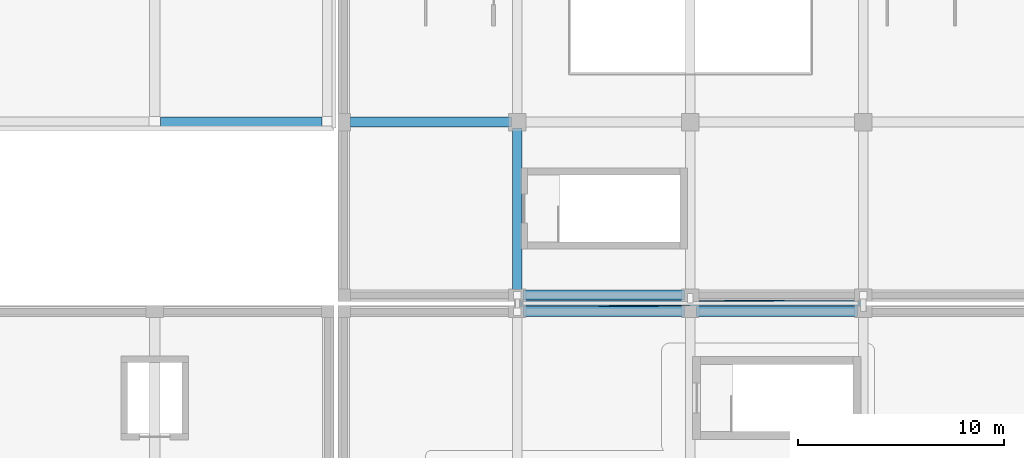
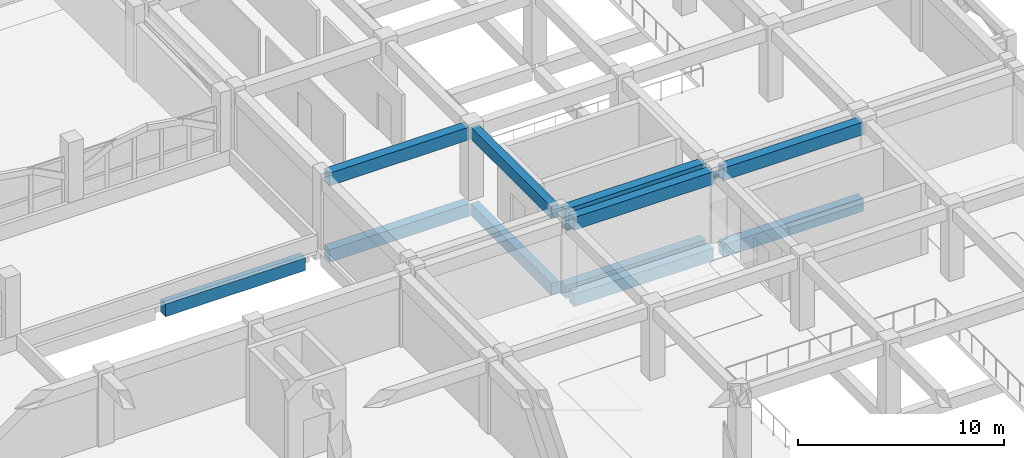
# One storey, part 37 of 129: 12 beams, 1 member.
"""IFC4 building model written with IfcOpenShell, lengths in metres."""

import ifcopenshell
import ifcopenshell.guid

model = None  # the IFC model being written
_history = None  # IfcOwnerHistory: only IFC2X3 demands one
_inside = {}  # id of a spatial element -> (the spatial element, [elements in it])
_under = {}  # id of a project, library or spatial element -> (it, [spatial elements below it])
_declared = {}  # id of a project -> (the project, [libraries it declares])
_typed = {}  # id of a type object -> (the type object, [elements of that type])
_made_of = {}  # id of a material, layer set ... -> (it, [elements and type objects made of it])


def new_model(schema):
    """Start an empty IFC model of exactly this schema.

    Asked for "IFC4X3", IfcOpenShell would pick the latest addendum, in which some entities
    have other attributes; the version numbers below select the first issue.
    IFC2X3 requires an IfcOwnerHistory on every rooted entity: one is made here for all.
    """
    global model, _history
    if schema == "IFC4X3":
        model = ifcopenshell.file(schema_version=(4, 3, 0, 0))
    else:
        model = ifcopenshell.file(schema=schema)
    _inside.clear()
    _under.clear()
    _declared.clear()
    _typed.clear()
    _made_of.clear()
    _history = None
    if model.schema == "IFC2X3":
        org = make("IfcOrganization", Name="unknown")
        user = make(
            "IfcPersonAndOrganization",
            ThePerson=make("IfcPerson", FamilyName="unknown"),
            TheOrganization=org,
        )
        app = make(
            "IfcApplication",
            ApplicationDeveloper=org,
            Version="unknown",
            ApplicationFullName="unknown",
            ApplicationIdentifier="unknown",
        )
        _history = make(
            "IfcOwnerHistory",
            OwningUser=user,
            OwningApplication=app,
            ChangeAction="ADDED",
            CreationDate=0,
        )
    return model


def make(cls, **values):
    """One entity of the class cls with the attributes given. An attribute that is None is left unset."""
    return model.create_entity(
        cls, **{name: value for name, value in values.items() if value is not None}
    )


def rooted(cls, **values):
    """An entity with a GlobalId (a new one), such as an element, a storey or a relation."""
    return make(cls, GlobalId=ifcopenshell.guid.new(), OwnerHistory=_history, **values)


def si_unit(unit_type, name, prefix=None):
    """IfcSIUnit, for example si_unit("LENGTHUNIT", "METRE", prefix="MILLI")."""
    return make("IfcSIUnit", UnitType=unit_type, Prefix=prefix, Name=name)


def assignment(units):
    """IfcUnitAssignment: the units of a project."""
    return None if units is None else make("IfcUnitAssignment", Units=units)


def point(xyz):
    """IfcCartesianPoint."""
    return None if xyz is None else make("IfcCartesianPoint", Coordinates=xyz)


def direction(xyz):
    """IfcDirection."""
    return None if xyz is None else make("IfcDirection", DirectionRatios=xyz)


def frame(location, z_axis=None, x_axis=None):
    """IfcAxis2Placement3D, a coordinate frame: its origin and axes. An axis left out is left unset."""
    return make(
        "IfcAxis2Placement3D",
        Location=point(location),
        Axis=direction(z_axis),
        RefDirection=direction(x_axis),
    )


def frame_2d(location, x_axis=None):
    """IfcAxis2Placement2D, a coordinate frame in the plane: its origin and x axis."""
    return make(
        "IfcAxis2Placement2D", Location=point(location), RefDirection=direction(x_axis)
    )


def origin():
    """The frame at (0, 0, 0) with its axes left unset."""
    return frame((0.0, 0.0, 0.0))


def origin_2d():
    """The frame at (0, 0) in the plane with its x axis left unset."""
    return frame_2d((0.0, 0.0))


def place(relative_to, where):
    """IfcLocalPlacement: puts the frame where relative to a parent placement (None: the world)."""
    return make(
        "IfcLocalPlacement", PlacementRelTo=relative_to, RelativePlacement=where
    )


def context(
    kind, dimensions, precision=None, world=None, true_north=None, identifier=None
):
    """IfcGeometricRepresentationContext, for example the 3D "Model" context."""
    return make(
        "IfcGeometricRepresentationContext",
        ContextIdentifier=identifier,
        ContextType=kind,
        CoordinateSpaceDimension=dimensions,
        Precision=precision,
        WorldCoordinateSystem=world,
        TrueNorth=true_north,
    )


def subcontext(parent, identifier, kind, view, scale=None):
    """IfcGeometricRepresentationSubContext, for example "Body" below "Model"."""
    return make(
        "IfcGeometricRepresentationSubContext",
        ContextIdentifier=identifier,
        ContextType=kind,
        ParentContext=parent,
        TargetScale=scale,
        TargetView=view,
    )


def project(units=None, contexts=None):
    """IfcProject with its units and contexts."""
    return rooted(
        "IfcProject",
        Name="project",
        RepresentationContexts=contexts,
        UnitsInContext=assignment(units),
    )


def spatial(cls, under=None, at=None, **own):
    """A site, building, storey or space (cls), placed at a placement, below another one or the project."""
    s = rooted(cls, ObjectPlacement=at, **own)
    if under is not None:
        _under.setdefault(under.id(), (under, []))[1].append(s)
    return s


def profile(cls, at=None, kind="AREA", **sizes):
    """A parametric profile (cls). Its sizes go by their IFC names, for example OverallWidth=200.0."""
    return make(cls, ProfileType=kind, Position=at, **sizes)


def rectangle(**sizes):
    """IfcRectangleProfileDef."""
    return profile("IfcRectangleProfileDef", **sizes)


def hollow_circle(**sizes):
    """IfcCircleHollowProfileDef."""
    return profile("IfcCircleHollowProfileDef", **sizes)


def i_section(**sizes):
    """IfcIShapeProfileDef."""
    return profile("IfcIShapeProfileDef", **sizes)


def extrude(swept, where, along, depth):
    """IfcExtrudedAreaSolid: the profile swept, set in the frame where, extruded along a direction by depth."""
    return make(
        "IfcExtrudedAreaSolid",
        SweptArea=swept,
        Position=where,
        ExtrudedDirection=direction(along),
        Depth=depth,
    )


def shape(context_of_items, identifier, shape_type, items):
    """IfcShapeRepresentation: the items that make up one representation, for example the "Body"."""
    return make(
        "IfcShapeRepresentation",
        ContextOfItems=context_of_items,
        RepresentationIdentifier=identifier,
        RepresentationType=shape_type,
        Items=items,
    )


def material(Name=None, Category=None):
    """IfcMaterial."""
    return make("IfcMaterial", Name=Name, Category=Category)


def material_profile(
    of_material, cross_section, Name=None, Category=None, Priority=None
):
    """IfcMaterialProfile: a cross section and its material."""
    return make(
        "IfcMaterialProfile",
        Name=Name,
        Material=of_material,
        Profile=cross_section,
        Priority=Priority,
        Category=Category,
    )


def profile_set(profiles, Name=None, composite=None):
    """IfcMaterialProfileSet."""
    return make(
        "IfcMaterialProfileSet",
        Name=Name,
        MaterialProfiles=profiles,
        CompositeProfile=composite,
    )


def made_of(thing, what):
    """Note that an element or type object is made of a material, layer set ...; save() writes the relation."""
    if what is not None:
        _made_of.setdefault(what.id(), (what, []))[1].append(thing)
    return thing


def type_object(cls, material=None, **own):
    """A type object (cls), such as IfcWallType, which elements share."""
    return made_of(rooted(cls, **own), material)


def element(
    cls,
    number,
    at=None,
    inside=None,
    cuts=None,
    type_object=None,
    material=None,
    context=None,
    identifier="Body",
    shape_type=None,
    held_by="IfcProductDefinitionShape",
    body=None,
    shapes=None,
    **own,
):
    """One element of the class cls, such as IfcWall. Its Tag is "e" and its number.

    at: its placement. inside: the storey or other place that contains it. cuts: it is an
    opening in that element (IfcRelVoidsElement). A single representation is given by context,
    identifier, shape_type and body (its items); several are given by shapes. held_by: the class
    of the entity that holds the representations. save() writes the other relations.
    """
    e = rooted(cls, Tag="e%d" % number, ObjectPlacement=at, **own)
    if body is not None:
        shapes = [shape(context, identifier, shape_type, body)]
    if shapes is not None:
        e.Representation = make(held_by, Representations=shapes)
    if inside is not None:
        _inside.setdefault(inside.id(), (inside, []))[1].append(e)
    if cuts is not None:
        rooted(
            "IfcRelVoidsElement", RelatingBuildingElement=cuts, RelatedOpeningElement=e
        )
    if type_object is not None:
        _typed.setdefault(type_object.id(), (type_object, []))[1].append(e)
    return made_of(e, material)


def aggregate(whole, parts):
    """IfcRelAggregates: a whole, such as a stair, and the parts it consists of."""
    return rooted("IfcRelAggregates", RelatingObject=whole, RelatedObjects=parts)


def save(model, path):
    """Write the relations noted so far, then the file.

    IfcRelAggregates (storeys below a building ...), IfcRelContainedInSpatialStructure (elements
    in a storey), IfcRelDefinesByType, IfcRelAssociatesMaterial and IfcRelDeclares: one each for
    every whole, place, type object, material and project.
    """
    for whole, parts in _under.values():
        aggregate(whole, parts)
    for where, things in _inside.values():
        rooted(
            "IfcRelContainedInSpatialStructure",
            RelatedElements=things,
            RelatingStructure=where,
        )
    for kind, things in _typed.values():
        rooted("IfcRelDefinesByType", RelatedObjects=things, RelatingType=kind)
    for what, things in _made_of.values():
        rooted("IfcRelAssociatesMaterial", RelatedObjects=things, RelatingMaterial=what)
    for by, libraries in _declared.values():
        rooted("IfcRelDeclares", RelatingContext=by, RelatedDefinitions=libraries)
    model.write(path)


model = new_model("IFC4")

# Units and contexts
model_context = context("Model", 3, precision=1e-05, world=origin(), true_north=direction((0.0, 1.0)))
body_context = subcontext(model_context, "Body", "Model", "MODEL_VIEW")
ifc_project = project(units=[si_unit("LENGTHUNIT", "METRE"), si_unit("AREAUNIT", "SQUARE_METRE"), si_unit("VOLUMEUNIT", "CUBIC_METRE"), si_unit("PLANEANGLEUNIT", "RADIAN"), si_unit("MASSUNIT", "GRAM", prefix="KILO")], contexts=[model_context])

# Site, building, storey
site_placement = place(None, origin())
site = spatial("IfcSite", under=ifc_project, at=site_placement, CompositionType="ELEMENT")
building_placement = place(site_placement, origin())
building = spatial("IfcBuilding", under=site, at=building_placement, Name="Xazarin Passage Department Store", CompositionType="ELEMENT")
storey_placement = place(building_placement, frame((0.0, 0.0, 9.89990234375)))
storey = spatial("IfcBuildingStorey", under=building, at=storey_placement, Name="L02", CompositionType="ELEMENT", Elevation=9.89990234375)

# Beams
ifc_material_1 = material(Name="Steel S355", Category="steel")
ifc_material_profile_1 = material_profile(ifc_material_1, i_section(OverallWidth=0.260009765625, OverallDepth=0.25, WebThickness=0.007568359375, FlangeThickness=0.012451171875, FilletRadius=0.02392578125, at=origin_2d()), Name="HEA 260")
ifc_profile_set_1 = profile_set([ifc_material_profile_1], Name="Steel S355")
beam_type_1 = type_object("IfcBeamType", Name="STR-BM-CAN260", PredefinedType="BEAM", material=ifc_profile_set_1)
beam_1_placement = place(storey_placement, frame((76.39990234375, 50.800048828125, 3.47509765625), z_axis=(1.0, 0.0, 0.0), x_axis=(0.0, 1.0, 0.0)))
element("IfcBeam", 1, at=beam_1_placement, inside=storey, type_object=beam_type_1, Name="L02 BR-V2S-V2N Bridge Roof Mid Beam", PredefinedType="BEAM", context=body_context, shape_type="SweptSolid", body=[
    extrude(i_section(OverallWidth=0.260009765625, OverallDepth=0.25, WebThickness=0.007568359375, FlangeThickness=0.012451171875, FilletRadius=0.02392578125, at=origin_2d()), origin(), (0.0, 0.0, 1.0), 16.800048828125),
])
ifc_material_2 = material(Name="Concrete C35/45", Category="concrete")
ifc_material_profile_2 = material_profile(ifc_material_2, rectangle(XDim=0.449951171875, YDim=0.699951171875, at=origin_2d()), Name="RC 450x700")
ifc_profile_set_2 = profile_set([ifc_material_profile_2], Name="Concrete C35/45")
beam_type_2 = type_object("IfcBeamType", Name="STR-BM-G450x700", PredefinedType="BEAM", material=ifc_profile_set_2)
for number, where, z_axis, x_axis, name in (
    (2, (76.39990234375, 51.47998046875, -0.64990234375), (0.0, 1.0, 0.0), (-1.0, 0.0, 0.0), "L02 Grid Beam 11/H-J"),
    (3, (76.39990234375, 51.47998046875, 3.89013671875), (0.0, 1.0, 0.0), (-1.0, 0.0, 0.0), "L02 Grid Beam 11/H-J"),
):
    element("IfcBeam", number, at=place(storey_placement, frame(where, z_axis=z_axis, x_axis=x_axis)), inside=storey, type_object=beam_type_2, Name=name, PredefinedType="BEAM", context=body_context, shape_type="SweptSolid", body=[
        extrude(rectangle(XDim=0.449951171875, YDim=0.699951171875, at=origin_2d()), origin(), (0.0, 0.0, 1.0), 7.840087890625),
    ])
ifc_material_profile_3 = material_profile(ifc_material_2, rectangle(XDim=0.5, YDim=0.75, at=origin_2d()), Name="RC 500x750")
ifc_profile_set_3 = profile_set([ifc_material_profile_3], Name="Concrete C35/45")
beam_type_3 = type_object("IfcBeamType", Name="STR-BM-SP500x750", PredefinedType="SPANDREL", material=ifc_profile_set_3)
beam_2_placement = place(storey_placement, frame((59.080078125, 59.60009765625, -0.6748046875), z_axis=(1.0, 0.0, 0.0), x_axis=(0.0, 1.0, 0.0)))
element("IfcBeam", 4, at=beam_2_placement, inside=storey, type_object=beam_type_3, Name="L02 Grid Beam J/8-9", PredefinedType="SPANDREL", context=body_context, shape_type="SweptSolid", body=[
    extrude(rectangle(XDim=0.5, YDim=0.75, at=origin_2d()), origin(), (0.0, 0.0, 1.0), 7.83984375),
])
beam_3_placement = place(storey_placement, frame((76.679931640625, 50.39990234375, -0.6748046875), z_axis=(1.0, 0.0, 0.0), x_axis=(0.0, 1.0, 0.0)))
element("IfcBeam", 5, at=beam_3_placement, inside=storey, type_object=beam_type_3, Name="L02 Grid Beam G/11-12", PredefinedType="SPANDREL", context=body_context, shape_type="SweptSolid", body=[
    extrude(rectangle(XDim=0.5, YDim=0.75, at=origin_2d()), origin(), (0.0, 0.0, 1.0), 7.840087890625),
])
beam_4_placement = place(storey_placement, frame((85.080078125, 50.39990234375, -0.6748046875), z_axis=(1.0, 0.0, 0.0), x_axis=(0.0, 1.0, 0.0)))
element("IfcBeam", 6, at=beam_4_placement, inside=storey, type_object=beam_type_3, Name="L02 Grid Beam G/12-13", PredefinedType="SPANDREL", context=body_context, shape_type="SweptSolid", body=[
    extrude(rectangle(XDim=0.5, YDim=0.75, at=origin_2d()), origin(), (0.0, 0.0, 1.0), 7.83984375),
])
beam_5_placement = place(storey_placement, frame((76.679931640625, 50.39990234375, 3.864990234375), z_axis=(1.0, 0.0, 0.0), x_axis=(0.0, 1.0, 0.0)))
element("IfcBeam", 7, at=beam_5_placement, inside=storey, type_object=beam_type_3, Name="L02 Grid Beam G/11-12", PredefinedType="SPANDREL", context=body_context, shape_type="SweptSolid", body=[
    extrude(rectangle(XDim=0.5, YDim=0.75, at=origin_2d()), origin(), (0.0, 0.0, 1.0), 7.840087890625),
])
beam_6_placement = place(storey_placement, frame((85.080078125, 50.39990234375, 3.864990234375), z_axis=(1.0, 0.0, 0.0), x_axis=(0.0, 1.0, 0.0)))
element("IfcBeam", 8, at=beam_6_placement, inside=storey, type_object=beam_type_3, Name="L02 Grid Beam G/12-13", PredefinedType="SPANDREL", context=body_context, shape_type="SweptSolid", body=[
    extrude(rectangle(XDim=0.5, YDim=0.75, at=origin_2d()), origin(), (0.0, 0.0, 1.0), 7.83984375),
])
for number, where, z_axis, x_axis, name in (
    (9, (76.679931640625, 51.199951171875, -0.6748046875), (1.0, 0.0, 0.0), (0.0, 1.0, 0.0), "L02 Grid Beam H/11-12"),
    (10, (68.280029296875, 59.60009765625, -0.6748046875), (1.0, 0.0, 0.0), (0.0, 1.0, 0.0), "L02 Grid Beam J/10-11"),
    (11, (76.679931640625, 51.199951171875, 3.864990234375), (1.0, 0.0, 0.0), (0.0, 1.0, 0.0), "L02 Grid Beam H/11-12"),
    (12, (68.280029296875, 59.60009765625, 3.864990234375), (1.0, 0.0, 0.0), (0.0, 1.0, 0.0), "L02 Grid Beam J/10-11"),
):
    element("IfcBeam", number, at=place(storey_placement, frame(where, z_axis=z_axis, x_axis=x_axis)), inside=storey, type_object=beam_type_3, Name=name, PredefinedType="SPANDREL", context=body_context, shape_type="SweptSolid", body=[
        extrude(rectangle(XDim=0.5, YDim=0.75, at=origin_2d()), origin(), (0.0, 0.0, 1.0), 7.840087890625),
    ])

# Member
ifc_material_profile_4 = material_profile(ifc_material_1, hollow_circle(Radius=0.06982421875, WallThickness=0.008056640625, at=origin_2d()), Name="CHS 139.7x8")
ifc_profile_set_4 = profile_set([ifc_material_profile_4], Name="Steel S355")
member_type = type_object("IfcMemberType", Name="STR-MEM-BR140", PredefinedType="BRACE", material=ifc_profile_set_4)
member_placement = place(storey_placement, frame((76.39990234375, 50.39990234375, 3.47509765625), z_axis=(0.998868006357, 0.047567908053, 0.0), x_axis=(-0.047567908053, 0.998868006357, 0.0)))
element("IfcMember", 13, at=member_placement, inside=storey, type_object=member_type, Name="L02 BR-V2S-V2N Bridge Roof Wind Diagonal", PredefinedType="BRACE", context=body_context, shape_type="SweptSolid", body=[
    extrude(hollow_circle(Radius=0.06982421875, WallThickness=0.008056640625, at=origin_2d()), origin(), (0.0, 0.0, 1.0), 16.819091796875),
])

save(model, "model.ifc")
